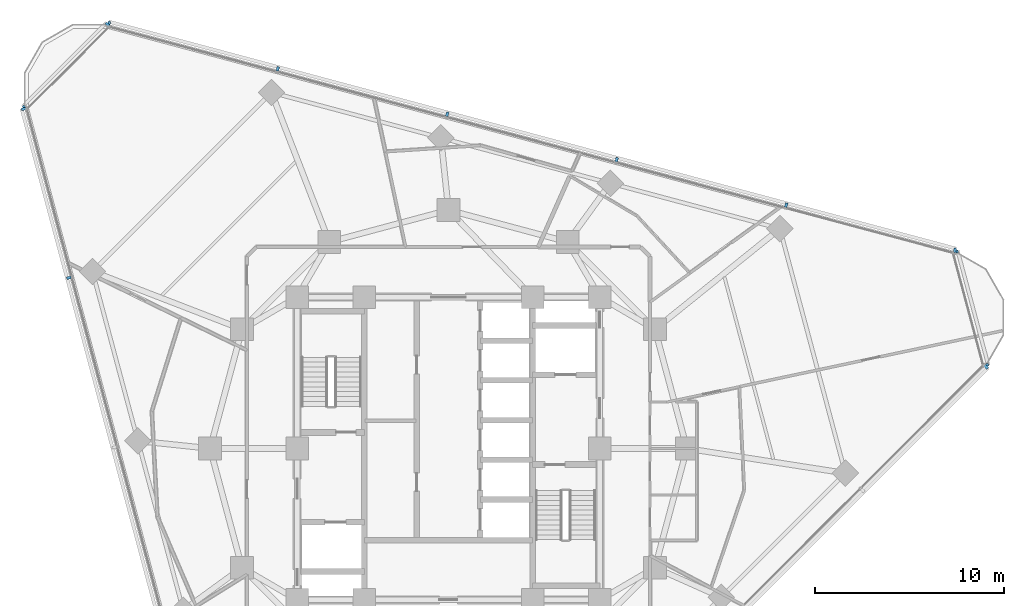
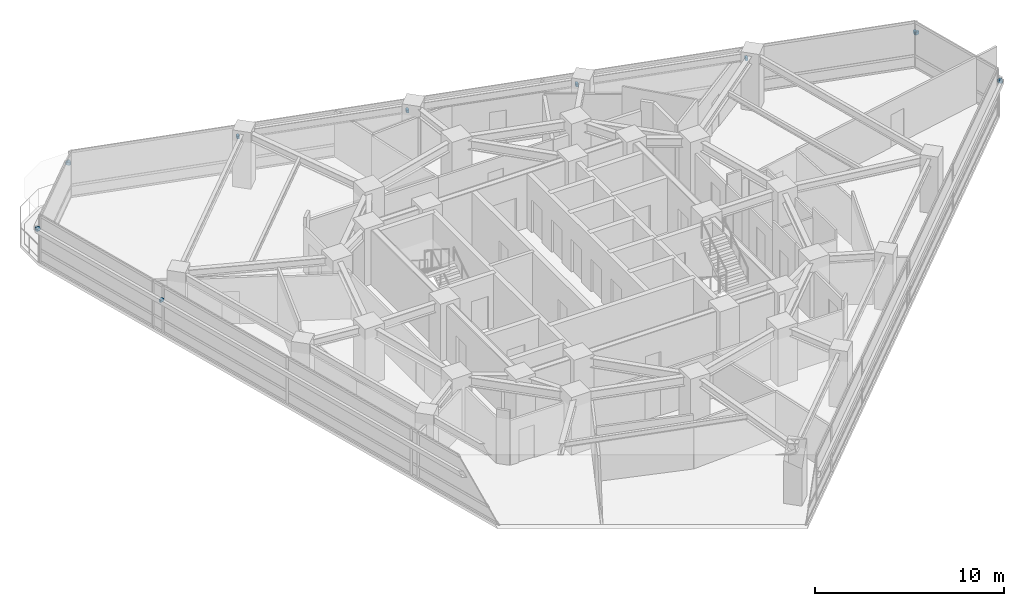
# One storey, part 10 of 14: 13 discrete accessories.
"""IFC4 building model written with IfcOpenShell, lengths in metres."""

from ifc_helpers import new_model, si_unit, direction, frame, origin, origin_2d, place, context, subcontext, project, spatial, rectangle, extrude, material, type_object, element, save


model = new_model("IFC4")

# Units and contexts
model_context = context("Model", 3, precision=1e-05, world=origin(), true_north=direction((0.0, 1.0)))
body_context = subcontext(model_context, "Body", "Model", "MODEL_VIEW")
ifc_project = project(units=[si_unit("LENGTHUNIT", "METRE"), si_unit("AREAUNIT", "SQUARE_METRE"), si_unit("VOLUMEUNIT", "CUBIC_METRE"), si_unit("PLANEANGLEUNIT", "RADIAN"), si_unit("MASSUNIT", "GRAM", prefix="KILO")], contexts=[model_context])

# Site, building, storey
site_placement = place(None, origin())
site = spatial("IfcSite", under=ifc_project, at=site_placement, CompositionType="ELEMENT")
building_placement = place(site_placement, origin())
building = spatial("IfcBuilding", under=site, at=building_placement, Name="Terralouvre Media Tower", CompositionType="ELEMENT")
storey_placement = place(building_placement, frame((0.0, 0.0, 187.89990234375)))
storey = spatial("IfcBuildingStorey", under=building, at=storey_placement, Name="L48", CompositionType="ELEMENT", Elevation=187.89990234375)

# Discrete accessories
ifc_material = material(Name="Anodised extruded aluminium 6063-T6", Category="aluminium")
discrete_accessory_type = type_object("IfcDiscreteAccessoryType", Name="Mullion Stand-Off Baguette Fixing Bracket BK-01", PredefinedType="BRACKET", material=ifc_material)
for number, where, z_axis, x_axis, name in (
    (1, (28.41552734375, 4.31298828125, 2.07421875), (0.0, 0.0, 1.0), (0.707106781187, 0.707106781187, 0.0), "CW-L48-F0 Baguette Outrigger Bracket 1.06"),
    (2, (26.764892578125, 10.472412109375, 2.07421875), (0.0, 0.0, 1.0), (-0.96592582942, 0.25881903342, 0.0), "CW-L48-F1 Baguette Outrigger Bracket 1.01"),
    (3, (17.84521484375, 12.862548828125, 2.07421875), (0.0, 0.0, 1.0), (-0.96592582942, 0.25881903342, 0.0), "CW-L48-F1 Baguette Outrigger Bracket 1.02"),
    (4, (8.88916015625, 15.262451171875, 2.07421875), (0.0, 0.0, 1.0), (-0.96592582942, 0.25881903342, 0.0), "CW-L48-F1 Baguette Outrigger Bracket 1.03"),
    (5, (-0.06689453125, 17.662109375, 2.07421875), (0.0, 0.0, 1.0), (-0.96592582942, 0.25881903342, 0.0), "CW-L48-F1 Baguette Outrigger Bracket 1.04"),
    (6, (-9.02294921875, 20.06201171875, 2.07421875), (0.0, 0.0, 1.0), (-0.96592582942, 0.25881903342, 0.0), "CW-L48-F1 Baguette Outrigger Bracket 1.05"),
    (7, (-17.94287109375, 22.451904296875, 2.07421875), (0.0, 0.0, 1.0), (-0.96592582942, 0.25881903342, 0.0), "CW-L48-F1 Baguette Outrigger Bracket 1.06"),
    (8, (-22.451904296875, 17.94287109375, 2.07421875), (0.0, 0.0, 1.0), (0.25881903342, -0.96592582942, 0.0), "CW-L48-F2 Baguette Outrigger Bracket 1.01"),
    (9, (-20.06201171875, 9.02294921875, 2.07421875), (0.0, 0.0, 1.0), (0.25881903342, -0.96592582942, 0.0), "CW-L48-F2 Baguette Outrigger Bracket 1.02"),
    (10, (28.42333984375, 4.4091796875, 2.07421875), (0.0, 0.0, 1.0), (-0.258818728144, 0.965925911218, 0.0), "CW-L48-C1 Baguette Outrigger Bracket 1.01"),
    (11, (26.81982421875, 10.39306640625, 2.07421875), (0.0, 0.0, 1.0), (-0.258818728144, 0.965925911218, 0.0), "CW-L48-C1 Baguette Outrigger Bracket 1.02"),
    (12, (-18.030029296875, 22.41064453125, 2.07421875), (0.0, 0.0, 1.0), (-0.707106781187, -0.707106781187, 0.0), "CW-L48-C2 Baguette Outrigger Bracket 1.01"),
    (13, (-22.41064453125, 18.030029296875, 2.07421875), (0.0, 0.0, 1.0), (-0.707106781187, -0.707106781187, 0.0), "CW-L48-C2 Baguette Outrigger Bracket 1.02"),
):
    element("IfcDiscreteAccessory", number, at=place(storey_placement, frame(where, z_axis=z_axis, x_axis=x_axis)), inside=storey, type_object=discrete_accessory_type, Name=name, PredefinedType="BRACKET", context=body_context, shape_type="SweptSolid", body=[
        extrude(rectangle(XDim=0.139892578125, YDim=0.239990234375, at=origin_2d()), origin(), (0.0, 0.0, 1.0), 0.179931640625),
    ])

save(model, "model.ifc")
